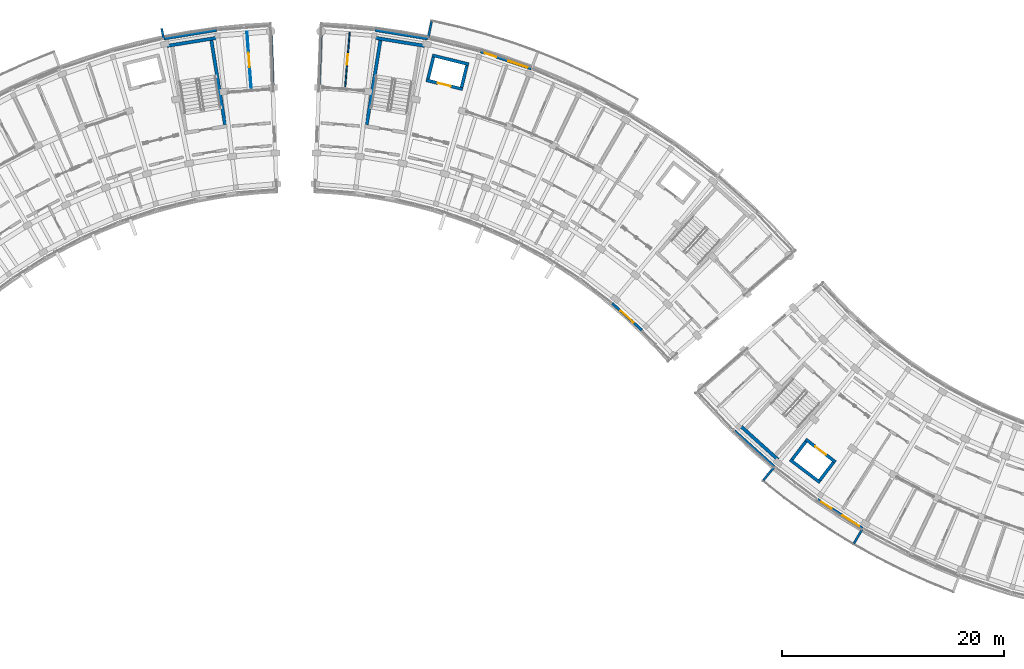
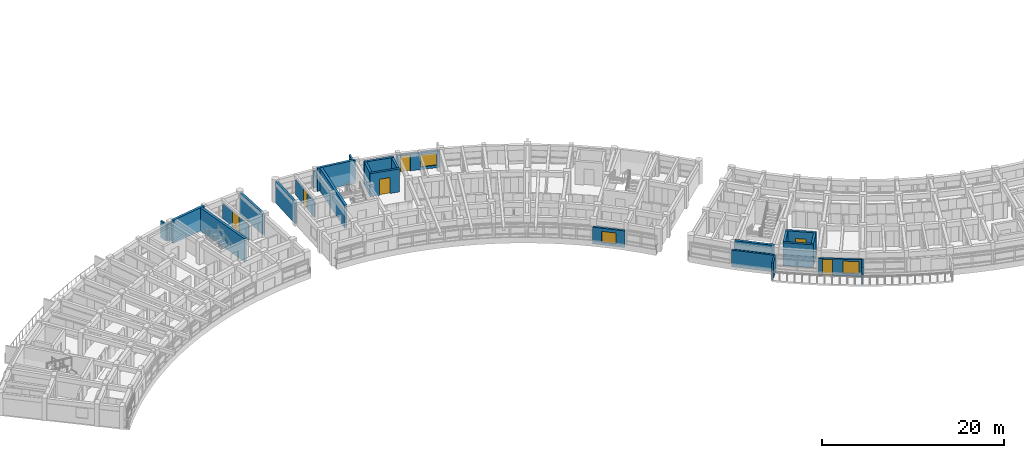
# One storey, part 31 of 54: 27 walls, 6 doors, 3 windows, 9 openings.
"""IFC4 building model written with IfcOpenShell, lengths in metres."""

from ifc_helpers import new_model, si_unit, direction, frame, frame_2d, origin, place, context, subcontext, project, spatial, rectangle, extrude, material, layer, layer_set, type_object, element, fill, save


model = new_model("IFC4")

# Units and contexts
model_context = context("Model", 3, precision=1e-05, world=origin(), true_north=direction((0.0, 1.0)))
body_context = subcontext(model_context, "Body", "Model", "MODEL_VIEW")
ifc_project = project(units=[si_unit("LENGTHUNIT", "METRE"), si_unit("AREAUNIT", "SQUARE_METRE"), si_unit("VOLUMEUNIT", "CUBIC_METRE"), si_unit("PLANEANGLEUNIT", "RADIAN"), si_unit("MASSUNIT", "GRAM", prefix="KILO")], contexts=[model_context])

# Site, building, storey
site_placement = place(None, origin())
site = spatial("IfcSite", under=ifc_project, at=site_placement, CompositionType="ELEMENT")
building_placement = place(site_placement, origin())
building = spatial("IfcBuilding", under=site, at=building_placement, Name="Zimvara Arc Housing Community", CompositionType="ELEMENT")
storey_placement = place(building_placement, frame((0.0, 0.0, 20.5)))
storey = spatial("IfcBuildingStorey", under=building, at=storey_placement, Name="L06", CompositionType="ELEMENT", Elevation=20.5)

# Wall, opening, window
ifc_material_1 = material(Name="Board-Marked Fair-Faced Concrete C35/45", Category="concrete")
ifc_layer_1 = layer(ifc_material_1, 0.22998046875)
ifc_layer_set_1 = layer_set([ifc_layer_1], Name="Board-Marked Fair-Faced Concrete C35/45")
wall_type_1 = type_object("IfcWallType", Name="EWL-CONC-230", PredefinedType="SOLIDWALL", material=ifc_layer_set_1)
wall_1_placement = place(storey_placement, frame((73.480712890625, 78.84716796875, 0.0), z_axis=(0.0, 0.0, 1.0), x_axis=(0.743385092197, -0.668863666751, 0.0)))
wall_1 = element("IfcWall", 1, at=wall_1_placement, inside=storey, type_object=wall_type_1, Name="ewall:blkB:L06:in:b8", PredefinedType="SOLIDWALL", context=body_context, shape_type="SweptSolid", body=[
    extrude(rectangle(XDim=3.603759765625, YDim=0.22998046875, at=frame_2d((1.8017578125, 0.0))), origin(), (0.0, 0.0, 1.0), 2.25),
])
opening_1_placement = place(wall_1_placement, frame((1.001708984375, 0.0, 0.320068359375)))
opening_1 = element("IfcOpeningElement", 2, at=opening_1_placement, cuts=wall_1, Name="Opening W03", PredefinedType="OPENING", context=body_context, shape_type="SweptSolid", body=[
    extrude(rectangle(XDim=1.60009765625, YDim=1.5, at=frame_2d((0.800048828125, 0.75))), frame((0.0, 0.125, 0.0), z_axis=(0.0, -1.0, 0.0), x_axis=(1.0, 0.0, 0.0)), (0.0, 0.0, 1.0), 0.25),
])
ifc_material_2 = material(Name="Solar Control Low-E Double Glazing", Category="glass")
window_type_1 = type_object("IfcWindowType", Name="WIN-RES-1600x1500", PartitioningType="DOUBLE_PANEL_VERTICAL", PredefinedType="WINDOW", material=ifc_material_2)
window_1_placement = place(opening_1_placement, origin())
window_1 = element("IfcWindow", 3, at=window_1_placement, inside=storey, type_object=window_type_1, Name="win:blkB:L06:in:b8", OverallHeight=1.5, OverallWidth=1.60009765625, PartitioningType="DOUBLE_PANEL_VERTICAL", PredefinedType="WINDOW", context=body_context, shape_type="SweptSolid", body=[
    extrude(rectangle(XDim=1.60009765625, YDim=1.5, at=frame_2d((0.800048828125, 0.75))), frame((0.0, 0.030029296875, 0.0), z_axis=(0.0, -1.0, 0.0), x_axis=(1.0, 0.0, 0.0)), (0.0, 0.0, 1.0), 0.06005859375),
])
fill(opening_1, window_1)

# Walls
ifc_material_3 = material(Name="Board-Marked Fair-Faced Concrete C35/45", Category="concrete")
ifc_layer_2 = layer(ifc_material_3, 0.264892578125)
ifc_layer_set_2 = layer_set([ifc_layer_2], Name="Board-Marked Fair-Faced Concrete C35/45")
wall_type_2 = type_object("IfcWallType", Name="EWL-CONC-265", PredefinedType="SOLIDWALL", material=ifc_layer_set_2)
for number, where, z_axis, x_axis, name in (
    (4, (33.120361328125, 102.6787109375, 0.0), (0.0, 0.0, 1.0), (0.987080750493, 0.160223568819, 0.0), "ewall:blkA:L06:out:b8"),
    (5, (52.1328125, 103.44921875, 0.0), (0.0, 0.0, 1.0), (0.987080750493, -0.160223568819, 0.0), "ewall:blkB:L06:out:b1"),
):
    element("IfcWall", number, at=place(storey_placement, frame(where, z_axis=z_axis, x_axis=x_axis)), inside=storey, type_object=wall_type_2, Name=name, PredefinedType="SOLIDWALL", context=body_context, shape_type="SweptSolid", body=[
        extrude(rectangle(XDim=4.808837890625, YDim=0.264892578125, at=frame_2d((2.404296875, 0.0))), origin(), (0.0, 0.0, 1.0), 2.25),
    ])
ifc_material_4 = material(Name="Board-Marked Fair-Faced Concrete C35/45", Category="concrete")
ifc_layer_3 = layer(ifc_material_4, 0.195068359375)
ifc_layer_set_3 = layer_set([ifc_layer_3], Name="Board-Marked Fair-Faced Concrete C35/45")
wall_type_3 = type_object("IfcWallType", Name="EWL-PARA-195", PredefinedType="PARAPET", material=ifc_layer_set_3)
wall_2_placement = place(storey_placement, frame((33.092529296875, 102.714599609375, 0.0), z_axis=(0.0, 0.0, 1.0), x_axis=(-0.200183211319, 0.979758481416, 0.0)))
element("IfcWall", 6, at=wall_2_placement, inside=storey, type_object=wall_type_3, Name="finwall:blkA:L06:out:b8", PredefinedType="PARAPET", context=body_context, shape_type="SweptSolid", body=[
    extrude(rectangle(XDim=0.900146484375, YDim=0.195068359375, at=frame_2d((0.4501953125, 0.0))), origin(), (0.0, 0.0, 1.0), 2.25),
])
for number, where, z_axis, x_axis, name in (
    (7, (56.907470703125, 102.714599609375, 0.0), (0.0, 0.0, 1.0), (0.200410159258, 0.979712084271, 0.0), "finwall:blkB:L06:out:b2"),
    (8, (88.072265625, 64.1025390625, 0.0), (0.0, 0.0, 1.0), (-0.637952984874, -0.770075313908, 0.0), "finwall:blkC:L06:out:b2"),
    (9, (96.018798828125, 58.546630859375, 0.0), (0.0, 0.0, 1.0), (-0.504228145431, -0.863570481985, 0.0), "finwall:blkC:L06:out:b4"),
):
    element("IfcWall", number, at=place(storey_placement, frame(where, z_axis=z_axis, x_axis=x_axis)), inside=storey, type_object=wall_type_3, Name=name, PredefinedType="PARAPET", context=body_context, shape_type="SweptSolid", body=[
        extrude(rectangle(XDim=1.530029296875, YDim=0.195068359375, at=frame_2d((0.76513671875, 0.0))), origin(), (0.0, 0.0, 1.0), 2.25),
    ])

# Wall, openings, door, window
ifc_material_5 = material(Name="Pigmented Fair-Faced Concrete C35/45", Category="concrete")
ifc_layer_4 = layer(ifc_material_5, 0.235107421875)
ifc_layer_set_4 = layer_set([ifc_layer_4], Name="Pigmented Fair-Faced Concrete C35/45")
wall_type_4 = type_object("IfcWallType", Name="EWL-PIGM-235", PredefinedType="SOLIDWALL", material=ifc_layer_set_4)
wall_3_placement = place(storey_placement, frame((61.625244140625, 101.50439453125, 0.0), z_axis=(0.0, 0.0, 1.0), x_axis=(0.947867898788, -0.318663531717, 0.0)))
wall_3 = element("IfcWall", 10, at=wall_3_placement, inside=storey, type_object=wall_type_4, Name="ewall:blkB:L06:out:b3", PredefinedType="SOLIDWALL", context=body_context, shape_type="SweptSolid", body=[
    extrude(rectangle(XDim=4.80908203125, YDim=0.235107421875, at=frame_2d((2.404541015625, 0.0))), origin(), (0.0, 0.0, 1.0), 2.25),
])
opening_2_placement = place(wall_3_placement, frame((0.39990234375, 0.0, 0.0)))
opening_2 = element("IfcOpeningElement", 11, at=opening_2_placement, cuts=wall_3, Name="Opening ED06", PredefinedType="OPENING", context=body_context, shape_type="SweptSolid", body=[
    extrude(rectangle(XDim=1.10009765625, YDim=2.14990234375, at=frame_2d((0.550048828125, 1.074951171875))), frame((0.0, 0.12744140625, 0.0), z_axis=(0.0, -1.0, 0.0), x_axis=(1.0, 0.0, 0.0)), (0.0, 0.0, 1.0), 0.255126953125),
])
opening_3_placement = place(wall_3_placement, frame((2.658935546875, 0.0, 0.35009765625)))
opening_3 = element("IfcOpeningElement", 12, at=opening_3_placement, cuts=wall_3, Name="Opening W08", PredefinedType="OPENING", context=body_context, shape_type="SweptSolid", body=[
    extrude(rectangle(XDim=1.800048828125, YDim=1.64990234375, at=frame_2d((0.89990234375, 0.824951171875))), frame((0.0, 0.12744140625, 0.0), z_axis=(0.0, -1.0, 0.0), x_axis=(1.0, 0.0, 0.0)), (0.0, 0.0, 1.0), 0.255126953125),
])
ifc_material_6 = material(Name="Anodised Aluminium AW-6063", Category="aluminium")
door_type_1 = type_object("IfcDoorType", Name="EDR-TERR-1100x2150", OperationType="NOTDEFINED", PredefinedType="DOOR", material=ifc_material_6)
door_1_placement = place(opening_2_placement, origin())
door_1 = element("IfcDoor", 13, at=door_1_placement, inside=storey, type_object=door_type_1, Name="edoor:blkB:L06:bal_out:b3", OperationType="SINGLE_SWING_LEFT", OverallHeight=2.14990234375, OverallWidth=1.10009765625, PredefinedType="DOOR", context=body_context, shape_type="SweptSolid", body=[
    extrude(rectangle(XDim=1.10009765625, YDim=2.14990234375, at=frame_2d((0.550048828125, 1.074951171875))), frame((0.0, 0.02490234375, 0.0), z_axis=(0.0, -1.0, 0.0), x_axis=(1.0, 0.0, 0.0)), (0.0, 0.0, 1.0), 0.050048828125),
])
fill(opening_2, door_1)
ifc_material_7 = material(Name="Solar Control Low-E Double Glazing", Category="glass")
window_type_2 = type_object("IfcWindowType", Name="WIN-RES-1800x1650", PartitioningType="TRIPLE_PANEL_VERTICAL", PredefinedType="WINDOW", material=ifc_material_7)
window_2_placement = place(opening_3_placement, origin())
window_2 = element("IfcWindow", 14, at=window_2_placement, inside=storey, type_object=window_type_2, Name="win:blkB:L06:out:b3:balw", OverallHeight=1.64990234375, OverallWidth=1.800048828125, PartitioningType="TRIPLE_PANEL_VERTICAL", PredefinedType="WINDOW", context=body_context, shape_type="SweptSolid", body=[
    extrude(rectangle(XDim=1.800048828125, YDim=1.64990234375, at=frame_2d((0.89990234375, 0.824951171875))), frame((0.0, 0.030029296875, 0.0), z_axis=(0.0, -1.0, 0.0), x_axis=(1.0, 0.0, 0.0)), (0.0, 0.0, 1.0), 0.06005859375),
])
fill(opening_3, window_2)

# Wall
ifc_material_8 = material(Name="Board-Marked Fair-Faced Concrete C35/45", Category="concrete")
ifc_layer_5 = layer(ifc_material_8, 0.22802734375)
ifc_layer_set_5 = layer_set([ifc_layer_5], Name="Board-Marked Fair-Faced Concrete C35/45")
wall_type_5 = type_object("IfcWallType", Name="EWL-VAR-14", PredefinedType="SOLIDWALL", material=ifc_layer_set_5)
wall_4_placement = place(storey_placement, frame((84.508056640625, 67.36328125, 0.0), z_axis=(0.0, 0.0, 1.0), x_axis=(0.743387539862, -0.668860946369, 0.0)))
element("IfcWall", 15, at=wall_4_placement, inside=storey, type_object=wall_type_5, Name="ewall:blkC:L06:out:b1", PredefinedType="SOLIDWALL", context=body_context, shape_type="SweptSolid", body=[
    extrude(rectangle(XDim=4.80908203125, YDim=0.22802734375, at=frame_2d((2.404541015625, 0.0))), origin(), (0.0, 0.0, 1.0), 2.25),
])

# Wall, openings, door, window
ifc_material_9 = material(Name="Board-Marked Fair-Faced Concrete C35/45", Category="concrete")
ifc_layer_6 = layer(ifc_material_9, 0.241943359375)
ifc_layer_set_6 = layer_set([ifc_layer_6], Name="Board-Marked Fair-Faced Concrete C35/45")
wall_type_6 = type_object("IfcWallType", Name="EWL-VAR-16", PredefinedType="SOLIDWALL", material=ifc_layer_set_6)
wall_5_placement = place(storey_placement, frame((91.971923828125, 61.18408203125, 0.0), z_axis=(0.0, 0.0, 1.0), x_axis=(0.84226218024, -0.539068103061, 0.0)))
wall_5 = element("IfcWall", 16, at=wall_5_placement, inside=storey, type_object=wall_type_6, Name="ewall:blkC:L06:out:b3", PredefinedType="SOLIDWALL", context=body_context, shape_type="SweptSolid", body=[
    extrude(rectangle(XDim=4.808837890625, YDim=0.241943359375, at=frame_2d((2.404296875, 0.0))), origin(), (0.0, 0.0, 1.0), 2.25),
])
opening_4_placement = place(wall_5_placement, frame((0.39990234375, 0.0, 0.0)))
opening_4 = element("IfcOpeningElement", 17, at=opening_4_placement, cuts=wall_5, Name="Opening ED06", PredefinedType="OPENING", context=body_context, shape_type="SweptSolid", body=[
    extrude(rectangle(XDim=1.10009765625, YDim=2.14990234375, at=frame_2d((0.550048828125, 1.074951171875))), frame((0.0, 0.130859375, 0.0), z_axis=(0.0, -1.0, 0.0), x_axis=(1.0, 0.0, 0.0)), (0.0, 0.0, 1.0), 0.261962890625),
])
opening_5_placement = place(wall_5_placement, frame((2.658935546875, 0.0, 0.35009765625)))
opening_5 = element("IfcOpeningElement", 18, at=opening_5_placement, cuts=wall_5, Name="Opening W08", PredefinedType="OPENING", context=body_context, shape_type="SweptSolid", body=[
    extrude(rectangle(XDim=1.800048828125, YDim=1.64990234375, at=frame_2d((0.89990234375, 0.824951171875))), frame((0.0, 0.130859375, 0.0), z_axis=(0.0, -1.0, 0.0), x_axis=(1.0, 0.0, 0.0)), (0.0, 0.0, 1.0), 0.261962890625),
])
door_2_placement = place(opening_4_placement, origin())
door_2 = element("IfcDoor", 19, at=door_2_placement, inside=storey, type_object=door_type_1, Name="edoor:blkC:L06:bal_out:b3", OperationType="SINGLE_SWING_LEFT", OverallHeight=2.14990234375, OverallWidth=1.10009765625, PredefinedType="DOOR", context=body_context, shape_type="SweptSolid", body=[
    extrude(rectangle(XDim=1.10009765625, YDim=2.14990234375, at=frame_2d((0.550048828125, 1.074951171875))), frame((0.0, 0.02490234375, 0.0), z_axis=(0.0, -1.0, 0.0), x_axis=(1.0, 0.0, 0.0)), (0.0, 0.0, 1.0), 0.050048828125),
])
fill(opening_4, door_2)
window_3_placement = place(opening_5_placement, origin())
window_3 = element("IfcWindow", 20, at=window_3_placement, inside=storey, type_object=window_type_2, Name="win:blkC:L06:out:b3:balw", OverallHeight=1.64990234375, OverallWidth=1.800048828125, PartitioningType="TRIPLE_PANEL_VERTICAL", PredefinedType="WINDOW", context=body_context, shape_type="SweptSolid", body=[
    extrude(rectangle(XDim=1.800048828125, YDim=1.64990234375, at=frame_2d((0.89990234375, 0.824951171875))), frame((0.0, 0.030029296875, 0.0), z_axis=(0.0, -1.0, 0.0), x_axis=(1.0, 0.0, 0.0)), (0.0, 0.0, 1.0), 0.06005859375),
])
fill(opening_5, window_3)

# Wall, opening, door
ifc_material_10 = material(Name="Painted Acoustic Plasterboard")
ifc_layer_7 = layer(ifc_material_10, 0.1201171875)
ifc_layer_set_7 = layer_set([ifc_layer_7], Name="Painted Acoustic Plasterboard")
wall_type_7 = type_object("IfcWallType", Name="IWL-PART-120", PredefinedType="PARTITIONING", material=ifc_layer_set_7)
wall_6_placement = place(storey_placement, frame((40.9765625, 98.24951171875, 0.0), z_axis=(0.0, 0.0, 1.0), x_axis=(-0.074640923707, 0.997210475531, 0.0)))
wall_6 = element("IfcWall", 21, at=wall_6_placement, inside=storey, type_object=wall_type_7, Name="iwall:blkA:L06:bed_div:b9", PredefinedType="PARTITIONING", context=body_context, shape_type="SweptSolid", body=[
    extrude(rectangle(XDim=5.05029296875, YDim=0.1201171875, at=frame_2d((2.525146484375, 0.0))), origin(), (0.0, 0.0, 1.0), 2.080078125),
])
opening_6_placement = place(wall_6_placement, frame((1.875, 0.0, 0.0)))
opening_6 = element("IfcOpeningElement", 22, at=opening_6_placement, cuts=wall_6, Name="Opening D20", PredefinedType="OPENING", context=body_context, shape_type="SweptSolid", body=[
    extrude(rectangle(XDim=1.300048828125, YDim=2.10009765625, at=frame_2d((0.64990234375, 1.050048828125))), frame((0.0, 0.070068359375, 0.0), z_axis=(0.0, -1.0, 0.0), x_axis=(1.0, 0.0, 0.0)), (0.0, 0.0, 1.0), 0.14013671875),
])
ifc_material_11 = material(Name="Mozambican Hardwood", Category="wood")
door_type_2 = type_object("IfcDoorType", Name="IDR-MOD-1300x2240", OperationType="NOTDEFINED", PredefinedType="DOOR", material=ifc_material_11)
door_3_placement = place(opening_6_placement, origin())
door_3 = element("IfcDoor", 23, at=door_3_placement, inside=storey, type_object=door_type_2, Name="idoor:blkA:L06:bed_d:b9", OperationType="SINGLE_SWING_LEFT", OverallHeight=2.10009765625, OverallWidth=1.300048828125, PredefinedType="DOOR", context=body_context, shape_type="SweptSolid", body=[
    extrude(rectangle(XDim=1.300048828125, YDim=2.10009765625, at=frame_2d((0.64990234375, 1.050048828125))), frame((0.0, 0.02490234375, 0.0), z_axis=(0.0, -1.0, 0.0), x_axis=(1.0, 0.0, 0.0)), (0.0, 0.0, 1.0), 0.050048828125),
])
fill(opening_6, door_3)

wall_7_placement = place(storey_placement, frame((49.44091796875, 98.3671875, 0.0), z_axis=(0.0, 0.0, 1.0), x_axis=(0.082158932509, 0.996619240136, 0.0)))
wall_7 = element("IfcWall", 24, at=wall_7_placement, inside=storey, type_object=wall_type_7, Name="iwall:blkB:L06:bed_div:b0", PredefinedType="PARTITIONING", context=body_context, shape_type="SweptSolid", body=[
    extrude(rectangle(XDim=4.900146484375, YDim=0.1201171875, at=frame_2d((2.4501953125, 0.0))), origin(), (0.0, 0.0, 1.0), 2.080078125),
])
opening_7_placement = place(wall_7_placement, frame((1.989990234375, 0.0, 0.0)))
opening_7 = element("IfcOpeningElement", 25, at=opening_7_placement, cuts=wall_7, Name="Opening D02", PredefinedType="OPENING", context=body_context, shape_type="SweptSolid", body=[
    extrude(rectangle(XDim=0.919921875, YDim=2.10009765625, at=frame_2d((0.4599609375, 1.050048828125))), frame((0.0, 0.070068359375, 0.0), z_axis=(0.0, -1.0, 0.0), x_axis=(1.0, 0.0, 0.0)), (0.0, 0.0, 1.0), 0.14013671875),
])
ifc_material_12 = material(Name="Mozambican Hardwood", Category="wood")
door_type_3 = type_object("IfcDoorType", Name="IDR-RM-0920x2100", OperationType="NOTDEFINED", PredefinedType="DOOR", material=ifc_material_12)
door_4_placement = place(opening_7_placement, origin())
door_4 = element("IfcDoor", 26, at=door_4_placement, inside=storey, type_object=door_type_3, Name="idoor:blkB:L06:bed_d:b0", OperationType="SINGLE_SWING_LEFT", OverallHeight=2.10009765625, OverallWidth=0.919921875, PredefinedType="DOOR", context=body_context, shape_type="SweptSolid", body=[
    extrude(rectangle(XDim=0.919921875, YDim=2.10009765625, at=frame_2d((0.4599609375, 1.050048828125))), frame((0.0, 0.02490234375, 0.0), z_axis=(0.0, -1.0, 0.0), x_axis=(1.0, 0.0, 0.0)), (0.0, 0.0, 1.0), 0.050048828125),
])
fill(opening_7, door_4)

ifc_material_13 = material(Name="Concrete C40/50", Category="concrete")
ifc_layer_8 = layer(ifc_material_13, 0.280029296875)
ifc_layer_set_8 = layer_set([ifc_layer_8], Name="Concrete C40/50")
wall_type_8 = type_object("IfcWallType", Name="WL-CORE-280", PredefinedType="SHEAR", material=ifc_layer_set_8)
wall_8_placement = place(storey_placement, frame((60.017578125, 98.127685546875, 0.0), z_axis=(0.0, 0.0, 1.0), x_axis=(-0.970707542441, 0.240264160972, 0.0)))
wall_8 = element("IfcWall", 27, at=wall_8_placement, inside=storey, type_object=wall_type_8, Name="lwall:LF-B1:L06:front", PredefinedType="SHEAR", context=body_context, shape_type="SweptSolid", body=[
    extrude(rectangle(XDim=3.389892578125, YDim=0.280029296875, at=frame_2d((1.69482421875, 0.0))), origin(), (0.0, 0.0, 1.0), 3.10009765625),
])
opening_8_placement = place(wall_8_placement, frame((1.094970703125, 0.0, 0.0)))
opening_8 = element("IfcOpeningElement", 28, at=opening_8_placement, cuts=wall_8, Name="Opening LD-LF-B1", PredefinedType="OPENING", context=body_context, shape_type="SweptSolid", body=[
    extrude(rectangle(XDim=1.199951171875, YDim=2.14990234375, at=frame_2d((0.60009765625, 1.074951171875))), frame((0.0, 0.14990234375, 0.0), z_axis=(0.0, -1.0, 0.0), x_axis=(1.0, 0.0, 0.0)), (0.0, 0.0, 1.0), 0.300048828125),
])
ifc_material_14 = material(Name="Anodised Aluminium AW-6063", Category="aluminium")
door_type_4 = type_object("IfcDoorType", Name="IDR-LD-1200x2150", OperationType="DOUBLE_DOOR_SLIDING", PredefinedType="DOOR", material=ifc_material_14)
door_5_placement = place(opening_8_placement, origin())
door_5 = element("IfcDoor", 29, at=door_5_placement, inside=storey, type_object=door_type_4, Name="Lift LF-B1 Sliding Landing Door L06", OperationType="DOUBLE_DOOR_SLIDING", OverallHeight=2.14990234375, OverallWidth=1.199951171875, PredefinedType="DOOR", context=body_context, shape_type="SweptSolid", body=[
    extrude(rectangle(XDim=1.199951171875, YDim=2.14990234375, at=frame_2d((0.60009765625, 1.074951171875))), frame((0.0, 0.02490234375, 0.0), z_axis=(0.0, -1.0, 0.0), x_axis=(1.0, 0.0, 0.0)), (0.0, 0.0, 1.0), 0.050048828125),
])
fill(opening_8, door_5)

# Walls
wall_9_placement = place(storey_placement, frame((60.572509765625, 100.3701171875, 0.0), z_axis=(0.0, 0.0, 1.0), x_axis=(-0.970711699588, 0.240247364777, 0.0)))
element("IfcWall", 30, at=wall_9_placement, inside=storey, type_object=wall_type_8, Name="lwall:LF-B1:L06:back", PredefinedType="SHEAR", context=body_context, shape_type="SweptSolid", body=[
    extrude(rectangle(XDim=3.39013671875, YDim=0.280029296875, at=frame_2d((1.695068359375, 0.0))), origin(), (0.0, 0.0, 1.0), 3.10009765625),
])
wall_10_placement = place(storey_placement, frame((59.915283203125, 98.29736328125, 0.0), z_axis=(0.0, 0.0, 1.0), x_axis=(0.2402993748, 0.970698825832, 0.0)))
element("IfcWall", 31, at=wall_10_placement, inside=storey, type_object=wall_type_8, Name="lwall:LF-B1:L06:left", PredefinedType="SHEAR", context=body_context, shape_type="SweptSolid", body=[
    extrude(rectangle(XDim=2.030029296875, YDim=0.280029296875, at=frame_2d((1.01513671875, 0.0))), origin(), (0.0, 0.0, 1.0), 3.10009765625),
])
wall_11_placement = place(storey_placement, frame((56.896484375, 99.04443359375, 0.0), z_axis=(0.0, 0.0, 1.0), x_axis=(0.240186044774, 0.970726873995, 0.0)))
element("IfcWall", 32, at=wall_11_placement, inside=storey, type_object=wall_type_8, Name="lwall:LF-B1:L06:right", PredefinedType="SHEAR", context=body_context, shape_type="SweptSolid", body=[
    extrude(rectangle(XDim=2.02978515625, YDim=0.280029296875, at=frame_2d((1.014892578125, 0.0))), origin(), (0.0, 0.0, 1.0), 3.10009765625),
])

# Wall, opening, door
wall_12_placement = place(storey_placement, frame((90.8994140625, 66.607177734375, 0.0), z_axis=(0.0, 0.0, 1.0), x_axis=(0.795439986025, -0.606032365994, 0.0)))
wall_12 = element("IfcWall", 33, at=wall_12_placement, inside=storey, type_object=wall_type_8, Name="lwall:LF-C1:L06:front", PredefinedType="SHEAR", context=body_context, shape_type="SweptSolid", body=[
    extrude(rectangle(XDim=3.389892578125, YDim=0.280029296875, at=frame_2d((1.69482421875, 0.0))), origin(), (0.0, 0.0, 1.0), 3.10009765625),
])
opening_9_placement = place(wall_12_placement, frame((1.094970703125, 0.0, 0.0)))
opening_9 = element("IfcOpeningElement", 34, at=opening_9_placement, cuts=wall_12, Name="Opening LD-LF-C1", PredefinedType="OPENING", context=body_context, shape_type="SweptSolid", body=[
    extrude(rectangle(XDim=1.199951171875, YDim=2.14990234375, at=frame_2d((0.60009765625, 1.074951171875))), frame((0.0, 0.14990234375, 0.0), z_axis=(0.0, -1.0, 0.0), x_axis=(1.0, 0.0, 0.0)), (0.0, 0.0, 1.0), 0.300048828125),
])
door_6_placement = place(opening_9_placement, origin())
door_6 = element("IfcDoor", 35, at=door_6_placement, inside=storey, type_object=door_type_4, Name="Lift LF-C1 Sliding Landing Door L06", OperationType="DOUBLE_DOOR_SLIDING", OverallHeight=2.14990234375, OverallWidth=1.199951171875, PredefinedType="DOOR", context=body_context, shape_type="SweptSolid", body=[
    extrude(rectangle(XDim=1.199951171875, YDim=2.14990234375, at=frame_2d((0.60009765625, 1.074951171875))), frame((0.0, 0.02490234375, 0.0), z_axis=(0.0, -1.0, 0.0), x_axis=(1.0, 0.0, 0.0)), (0.0, 0.0, 1.0), 0.050048828125),
])
fill(opening_9, door_6)

# Walls
wall_13_placement = place(storey_placement, frame((89.49951171875, 64.76953125, 0.0), z_axis=(0.0, 0.0, 1.0), x_axis=(0.795474703455, -0.605986795371, 0.0)))
element("IfcWall", 36, at=wall_13_placement, inside=storey, type_object=wall_type_8, Name="lwall:LF-C1:L06:back", PredefinedType="SHEAR", context=body_context, shape_type="SweptSolid", body=[
    extrude(rectangle(XDim=3.389892578125, YDim=0.280029296875, at=frame_2d((1.69482421875, 0.0))), origin(), (0.0, 0.0, 1.0), 3.10009765625),
])
wall_14_placement = place(storey_placement, frame((90.92578125, 66.410888671875, 0.0), z_axis=(0.0, 0.0, 1.0), x_axis=(-0.605948992168, -0.795503500238, 0.0)))
element("IfcWall", 37, at=wall_14_placement, inside=storey, type_object=wall_type_8, Name="lwall:LF-C1:L06:left", PredefinedType="SHEAR", context=body_context, shape_type="SweptSolid", body=[
    extrude(rectangle(XDim=2.02978515625, YDim=0.280029296875, at=frame_2d((1.014892578125, 0.0))), origin(), (0.0, 0.0, 1.0), 3.10009765625),
])
wall_15_placement = place(storey_placement, frame((93.399658203125, 64.5263671875, 0.0), z_axis=(0.0, 0.0, 1.0), x_axis=(-0.605891019062, -0.795547656033, 0.0)))
element("IfcWall", 38, at=wall_15_placement, inside=storey, type_object=wall_type_8, Name="lwall:LF-C1:L06:right", PredefinedType="SHEAR", context=body_context, shape_type="SweptSolid", body=[
    extrude(rectangle(XDim=2.030029296875, YDim=0.280029296875, at=frame_2d((1.01513671875, 0.0))), origin(), (0.0, 0.0, 1.0), 3.10009765625),
])
ifc_material_15 = material(Name="Concrete C40/50", Category="concrete")
ifc_layer_9 = layer(ifc_material_15, 0.300048828125)
ifc_layer_set_9 = layer_set([ifc_layer_9], Name="Concrete C40/50")
wall_type_9 = type_object("IfcWallType", Name="WL-CORE-300", PredefinedType="SHEAR", material=ifc_layer_set_9)
wall_16_placement = place(storey_placement, frame((37.8095703125, 102.745361328125, 0.0), z_axis=(0.0, 0.0, 1.0), x_axis=(-0.987084710126, -0.160199173019, 0.0)))
element("IfcWall", 39, at=wall_16_placement, inside=storey, type_object=wall_type_9, Name="cwall:ST-A2:L06:far", PredefinedType="SHEAR", context=body_context, shape_type="SweptSolid", body=[
    extrude(rectangle(XDim=4.4697265625, YDim=0.300048828125, at=frame_2d((2.23486328125, 0.0))), origin(), (0.0, 0.0, 1.0), 3.10009765625),
])
wall_17_placement = place(storey_placement, frame((38.62158203125, 94.9345703125, 0.0), z_axis=(0.0, 0.0, 1.0), x_axis=(-0.160196564502, 0.987085133472, 0.0)))
element("IfcWall", 40, at=wall_17_placement, inside=storey, type_object=wall_type_9, Name="cwall:ST-A2:L06:left", PredefinedType="SHEAR", context=body_context, shape_type="SweptSolid", body=[
    extrude(rectangle(XDim=7.690185546875, YDim=0.300048828125, at=frame_2d((3.84521484375, 0.0))), origin(), (0.0, 0.0, 1.0), 3.10009765625),
])
wall_18_placement = place(storey_placement, frame((56.6025390625, 102.029296875, 0.0), z_axis=(0.0, 0.0, 1.0), x_axis=(-0.987084710126, 0.160199173019, 0.0)))
element("IfcWall", 41, at=wall_18_placement, inside=storey, type_object=wall_type_9, Name="cwall:ST-B1:L06:far", PredefinedType="SHEAR", context=body_context, shape_type="SweptSolid", body=[
    extrude(rectangle(XDim=4.4697265625, YDim=0.300048828125, at=frame_2d((2.23486328125, 0.0))), origin(), (0.0, 0.0, 1.0), 3.10009765625),
])
wall_19_placement = place(storey_placement, frame((51.37841796875, 94.9345703125, 0.0), z_axis=(0.0, 0.0, 1.0), x_axis=(0.160196564502, 0.987085133472, 0.0)))
element("IfcWall", 42, at=wall_19_placement, inside=storey, type_object=wall_type_9, Name="cwall:ST-B1:L06:right", PredefinedType="SHEAR", context=body_context, shape_type="SweptSolid", body=[
    extrude(rectangle(XDim=7.690185546875, YDim=0.300048828125, at=frame_2d((3.84521484375, 0.0))), origin(), (0.0, 0.0, 1.0), 3.10009765625),
])
wall_20_placement = place(storey_placement, frame((85.092529296875, 67.759521484375, 0.0), z_axis=(0.0, 0.0, 1.0), x_axis=(0.743372896184, -0.668877221333, 0.0)))
element("IfcWall", 43, at=wall_20_placement, inside=storey, type_object=wall_type_9, Name="cwall:ST-C1:L06:far", PredefinedType="SHEAR", context=body_context, shape_type="SweptSolid", body=[
    extrude(rectangle(XDim=4.47021484375, YDim=0.300048828125, at=frame_2d((2.235107421875, 0.0))), origin(), (0.0, 0.0, 1.0), 3.10009765625),
])
ifc_material_16 = material(Name="Concrete C40/50", Category="concrete")
ifc_layer_10 = layer(ifc_material_16, 0.27001953125)
ifc_layer_set_10 = layer_set([ifc_layer_10], Name="Concrete C40/50")
wall_type_10 = type_object("IfcWallType", Name="WL-SHEAR-270", PredefinedType="SHEAR", material=ifc_layer_set_10)
for number, where, z_axis, x_axis, name in (
    (44, (42.927734375, 98.440185546875, 0.0), (0.0, 0.0, 1.0), (-0.038379487611, 0.999263236055, 0.0), "swall:blkA:L06:east"),
    (45, (47.072265625, 98.440185546875, 0.0), (0.0, 0.0, 1.0), (0.038379487611, 0.999263236055, 0.0), "swall:blkB:L06:west"),
):
    element("IfcWall", number, at=place(storey_placement, frame(where, z_axis=z_axis, x_axis=x_axis)), inside=storey, type_object=wall_type_10, Name=name, PredefinedType="SHEAR", context=body_context, shape_type="SweptSolid", body=[
        extrude(rectangle(XDim=4.719970703125, YDim=0.27001953125, at=frame_2d((2.35986328125, 0.0))), origin(), (0.0, 0.0, 1.0), 2.860107421875),
    ])

save(model, "model.ifc")
